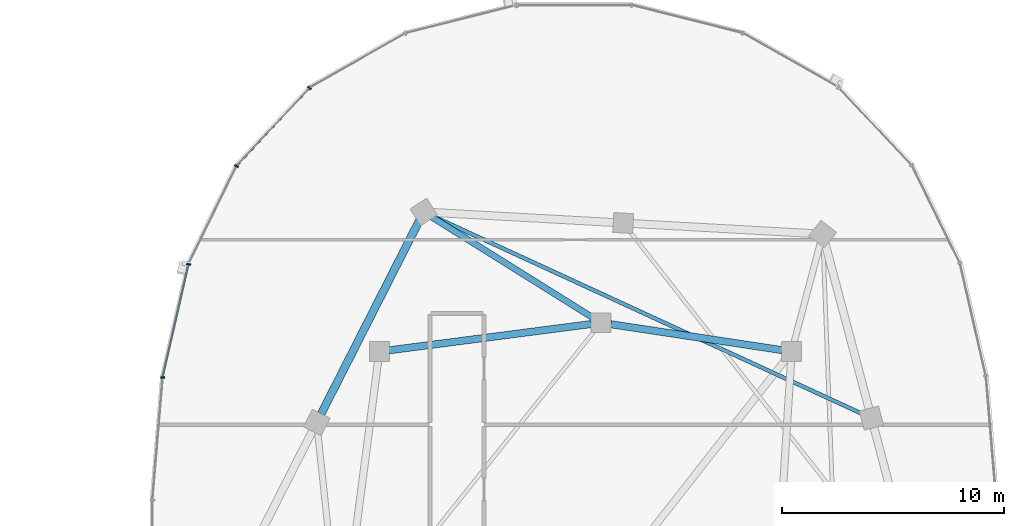
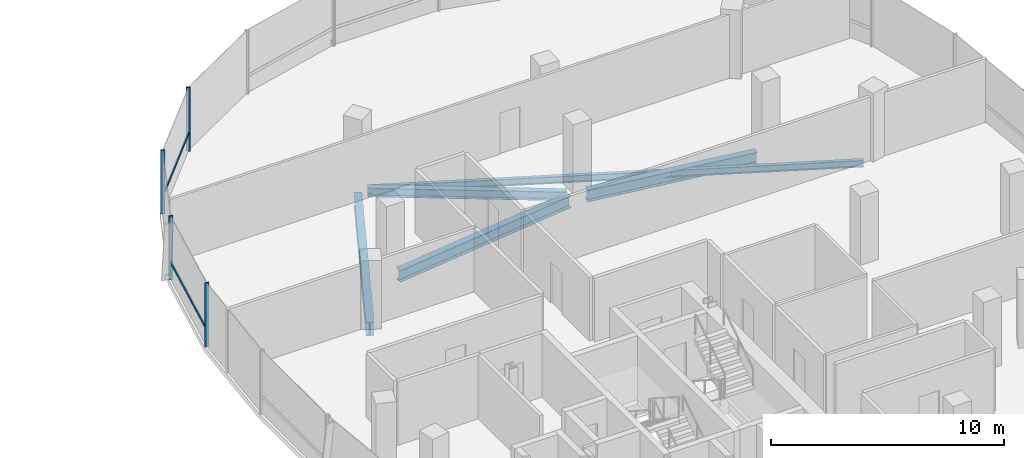
# One storey, part 11 of 25: 6 members, 5 beams, 1 element without a shape of its own.
"""IFC4 building model written with IfcOpenShell, lengths in metres."""

from ifc_helpers import new_model, si_unit, direction, frame, origin, origin_2d, place, context, subcontext, project, spatial, rectangle, i_section, extrude, material, material_profile, profile_set, type_object, element, aggregate, save


model = new_model("IFC4")

# Units and contexts
model_context = context("Model", 3, precision=1e-05, world=origin(), true_north=direction((0.0, 1.0)))
body_context = subcontext(model_context, "Body", "Model", "MODEL_VIEW")
ifc_project = project(units=[si_unit("LENGTHUNIT", "METRE"), si_unit("AREAUNIT", "SQUARE_METRE"), si_unit("VOLUMEUNIT", "CUBIC_METRE"), si_unit("PLANEANGLEUNIT", "RADIAN"), si_unit("MASSUNIT", "GRAM", prefix="KILO"), si_unit("THERMODYNAMICTEMPERATUREUNIT", "KELVIN"), si_unit("POWERUNIT", "WATT")], contexts=[model_context])

# Site, building, storey
site_placement = place(None, origin())
site = spatial("IfcSite", under=ifc_project, at=site_placement, CompositionType="ELEMENT")
building_placement = place(site_placement, origin())
building = spatial("IfcBuilding", under=site, at=building_placement, Name="Cundina Bronze Exchange", CompositionType="ELEMENT")
storey_placement = place(building_placement, frame((0.0, 0.0, 224.199951171875)))
storey = spatial("IfcBuildingStorey", under=building, at=storey_placement, Name="L59", CompositionType="ELEMENT", Elevation=224.199951171875)

# Beams
ifc_material_1 = material(Name="Steel ASTM A992 Grade 50", Category="steel")
ifc_material_profile_1 = material_profile(ifc_material_1, i_section(OverallWidth=0.280029296875, OverallDepth=0.462890625, WebThickness=0.0107421875, FlangeThickness=0.017333984375, FilletRadius=0.011962890625, at=origin_2d()), Name="W18X76", Category="steel")
ifc_profile_set_1 = profile_set([ifc_material_profile_1], Name="Steel ASTM A992 Grade 50")
beam_type_1 = type_object("IfcBeamType", Name="BM-FLR-W18A", PredefinedType="BEAM", material=ifc_profile_set_1)
beam_1_placement = place(storey_placement, frame((32.82861328125, 11.031982421875, -0.491455078125), z_axis=(-0.847995098703, 0.530004068452, 0.0), x_axis=(-0.530004068452, -0.847995098703, 0.0)))
element("IfcBeam", 1, at=beam_1_placement, inside=storey, type_object=beam_type_1, Name="L59 Leg E Chordal Floor Beam 12", PredefinedType="BEAM", context=body_context, shape_type="SweptSolid", body=[
    extrude(i_section(OverallWidth=0.280029296875, OverallDepth=0.462890625, WebThickness=0.0107421875, FlangeThickness=0.017333984375, FilletRadius=0.011962890625, at=origin_2d()), origin(), (0.0, 0.0, 1.0), 8.55810546875),
])
ifc_material_profile_2 = material_profile(ifc_material_1, i_section(OverallWidth=0.172119140625, OverallDepth=0.35791015625, WebThickness=0.0078125, FlangeThickness=0.01318359375, FilletRadius=0.010009765625, at=origin_2d()), Name="W14X38", Category="steel")
ifc_profile_set_2 = profile_set([ifc_material_profile_2], Name="Steel ASTM A992 Grade 50")
beam_type_2 = type_object("IfcBeamType", Name="BM-JST-W14", PredefinedType="JOIST", material=ifc_profile_set_2)
beam_2_placement = place(storey_placement, frame((45.002197265625, 6.68310546875, -0.43896484375), z_axis=(-0.908355026127, 0.418199888224, 0.0), x_axis=(-0.418199888224, -0.908355026127, 0.0)))
element("IfcBeam", 2, at=beam_2_placement, inside=storey, type_object=beam_type_2, Name="L59 Leg E Lobe Floor Joist 09-12", PredefinedType="JOIST", context=body_context, shape_type="SweptSolid", body=[
    extrude(i_section(OverallWidth=0.172119140625, OverallDepth=0.35791015625, WebThickness=0.0078125, FlangeThickness=0.01318359375, FilletRadius=0.010009765625, at=origin_2d()), origin(), (0.0, 0.0, 1.0), 21.362060546875),
])
ifc_material_profile_3 = material_profile(ifc_material_1, i_section(OverallWidth=0.324951171875, OverallDepth=0.615966796875, WebThickness=0.013916015625, FlangeThickness=0.021484375, FilletRadius=0.01611328125, at=origin_2d()), Name="W24X117", Category="steel")
ifc_profile_set_3 = profile_set([ifc_material_profile_3], Name="Steel ASTM A992 Grade 50")
beam_type_3 = type_object("IfcBeamType", Name="BM-RING-W24", PredefinedType="USERDEFINED", material=ifc_profile_set_3)
beam_3_placement = place(storey_placement, frame((41.366943359375, 9.5654296875, -0.56787109375), z_axis=(-0.988764903598, 0.149478979839, 0.0), x_axis=(-0.149478979839, -0.988764903598, 0.0)))
element("IfcBeam", 3, at=beam_3_placement, inside=storey, type_object=beam_type_3, Name="L59 E Inner Structural Ring Girder 05", ObjectType="GIRDER", PredefinedType="USERDEFINED", context=body_context, shape_type="SweptSolid", body=[
    extrude(i_section(OverallWidth=0.324951171875, OverallDepth=0.615966796875, WebThickness=0.013916015625, FlangeThickness=0.021484375, FilletRadius=0.01611328125, at=origin_2d()), origin(), (0.0, 0.0, 1.0), 7.82177734375),
])
beam_4_placement = place(storey_placement, frame((32.765625, 10.743408203125, -0.56787109375), z_axis=(-0.991656498582, -0.128908451316, 0.0), x_axis=(0.128908451316, -0.991656498582, 0.0)))
element("IfcBeam", 4, at=beam_4_placement, inside=storey, type_object=beam_type_3, Name="L59 E Inner Structural Ring Girder 06", ObjectType="GIRDER", PredefinedType="USERDEFINED", context=body_context, shape_type="SweptSolid", body=[
    extrude(i_section(OverallWidth=0.324951171875, OverallDepth=0.615966796875, WebThickness=0.013916015625, FlangeThickness=0.021484375, FilletRadius=0.01611328125, at=origin_2d()), origin(), (0.0, 0.0, 1.0), 9.208251953125),
])
ifc_material_profile_4 = material_profile(ifc_material_1, i_section(OverallWidth=0.35498046875, OverallDepth=0.695068359375, WebThickness=0.015380859375, FlangeThickness=0.02490234375, FilletRadius=0.01806640625, at=origin_2d()), Name="W27X146", Category="steel")
ifc_profile_set_4 = profile_set([ifc_material_profile_4], Name="Steel ASTM A992 Grade 50")
beam_type_4 = type_object("IfcBeamType", Name="BM-RING-W27", PredefinedType="USERDEFINED", material=ifc_profile_set_4)
beam_5_placement = place(storey_placement, frame((25.001708984375, 15.409423828125, -0.607421875), z_axis=(-0.452846871434, -0.891588308039, 0.0), x_axis=(0.891588308039, -0.452846871434, 0.0)))
element("IfcBeam", 5, at=beam_5_placement, inside=storey, type_object=beam_type_4, Name="L59 E Perimeter Ring Girder 12", ObjectType="GIRDER", PredefinedType="USERDEFINED", context=body_context, shape_type="SweptSolid", body=[
    extrude(i_section(OverallWidth=0.35498046875, OverallDepth=0.695068359375, WebThickness=0.015380859375, FlangeThickness=0.02490234375, FilletRadius=0.01806640625, at=origin_2d()), origin(), (0.0, 0.0, 1.0), 9.779052734375),
])

# Curtain wall, members
ifc_material_2 = material(Name="Anodised Bronze Aluminium 6063-T6", Category="aluminium")
curtain_wall_type = type_object("IfcCurtainWallType", Name="CWS-UPP-OFF", PredefinedType="NOTDEFINED", material=ifc_material_2)
curtain_wall_placement = place(storey_placement, origin())
curtain_wall = element("IfcCurtainWall", 6, at=curtain_wall_placement, inside=storey, type_object=curtain_wall_type, Name="L59 CW-05 Curtain Wall Run CWR-L59-E2", PredefinedType="NOTDEFINED")
ifc_material_profile_5 = material_profile(ifc_material_2, rectangle(XDim=0.070068359375, YDim=0.18994140625, at=origin_2d()), Name="AL70X190", Category="aluminium")
ifc_profile_set_5 = profile_set([ifc_material_profile_5], Name="Anodised Bronze Aluminium 6063-T6")
member_type_1 = type_object("IfcMemberType", Name="CWM-MUL-190", PredefinedType="MULLION", material=ifc_profile_set_5)
member_1_placement = place(storey_placement, frame((20.05126953125, 21.392578125, 0.0), z_axis=(0.0, 0.0, 1.0), x_axis=(-0.684292606175, -0.729207535023, 0.0)))
member_1 = element("IfcMember", 7, at=member_1_placement, type_object=member_type_1, Name="CW-05 Mullion 3", PredefinedType="MULLION", context=body_context, shape_type="SweptSolid", body=[
    extrude(rectangle(XDim=0.070068359375, YDim=0.18994140625, at=origin_2d()), origin(), (0.0, 0.0, 1.0), 3.340087890625),
])
member_2_placement = place(storey_placement, frame((16.754638671875, 17.866455078125, 0.0), z_axis=(0.0, 0.0, 1.0), x_axis=(-0.440566004113, -0.897720221461, 0.0)))
member_2 = element("IfcMember", 8, at=member_2_placement, type_object=member_type_1, Name="CW-05 Mullion 4", PredefinedType="MULLION", context=body_context, shape_type="SweptSolid", body=[
    extrude(rectangle(XDim=0.070068359375, YDim=0.18994140625, at=origin_2d()), origin(), (0.0, 0.0, 1.0), 3.340087890625),
])
member_3_placement = place(storey_placement, frame((14.59228515625, 13.440673828125, 0.0), z_axis=(0.0, 0.0, 1.0), x_axis=(-0.223250116011, -0.974761194191, 0.0)))
member_3 = element("IfcMember", 9, at=member_3_placement, type_object=member_type_1, Name="CW-05 Mullion 5", PredefinedType="MULLION", context=body_context, shape_type="SweptSolid", body=[
    extrude(rectangle(XDim=0.070068359375, YDim=0.18994140625, at=origin_2d()), origin(), (0.0, 0.0, 1.0), 3.340087890625),
])
member_4_placement = place(storey_placement, frame((13.427490234375, 8.33056640625, 0.0), z_axis=(0.0, 0.0, 1.0), x_axis=(-0.083677843332, -0.99649285925, 0.0)))
member_4 = element("IfcMember", 10, at=member_4_placement, type_object=member_type_1, Name="CW-05 Mullion 6", PredefinedType="MULLION", context=body_context, shape_type="SweptSolid", body=[
    extrude(rectangle(XDim=0.070068359375, YDim=0.18994140625, at=origin_2d()), origin(), (0.0, 0.0, 1.0), 3.340087890625),
])
ifc_material_profile_6 = material_profile(ifc_material_2, rectangle(XDim=0.06494140625, YDim=0.14990234375, at=origin_2d()), Name="AL65X150", Category="aluminium")
ifc_profile_set_6 = profile_set([ifc_material_profile_6], Name="Anodised Bronze Aluminium 6063-T6")
member_type_2 = type_object("IfcMemberType", Name="CWM-TRN-150", PredefinedType="USERDEFINED", material=ifc_profile_set_6)
member_5_placement = place(storey_placement, frame((20.02490234375, 21.364501953125, 0.920166015625), z_axis=(-0.684336416554, -0.729166420633, 0.0), x_axis=(0.729166420633, -0.684336416554, 0.0)))
member_5 = element("IfcMember", 11, at=member_5_placement, type_object=member_type_2, Name="CW-05 Spandrel Transom 3", ObjectType="TRANSOM", PredefinedType="USERDEFINED", context=body_context, shape_type="SweptSolid", body=[
    extrude(rectangle(XDim=0.06494140625, YDim=0.14990234375, at=origin_2d()), origin(), (0.0, 0.0, 1.0), 4.76513671875),
])
member_6_placement = place(storey_placement, frame((14.58349609375, 13.403076171875, 0.920166015625), z_axis=(-0.22328343579, -0.974753562344, 0.0), x_axis=(0.974753562344, -0.22328343579, 0.0)))
member_6 = element("IfcMember", 12, at=member_6_placement, type_object=member_type_2, Name="CW-05 Spandrel Transom 5", ObjectType="TRANSOM", PredefinedType="USERDEFINED", context=body_context, shape_type="SweptSolid", body=[
    extrude(rectangle(XDim=0.06494140625, YDim=0.14990234375, at=origin_2d()), origin(), (0.0, 0.0, 1.0), 5.159912109375),
])
aggregate(curtain_wall, [member_1, member_5, member_2, member_3, member_6, member_4])

save(model, "model.ifc")
